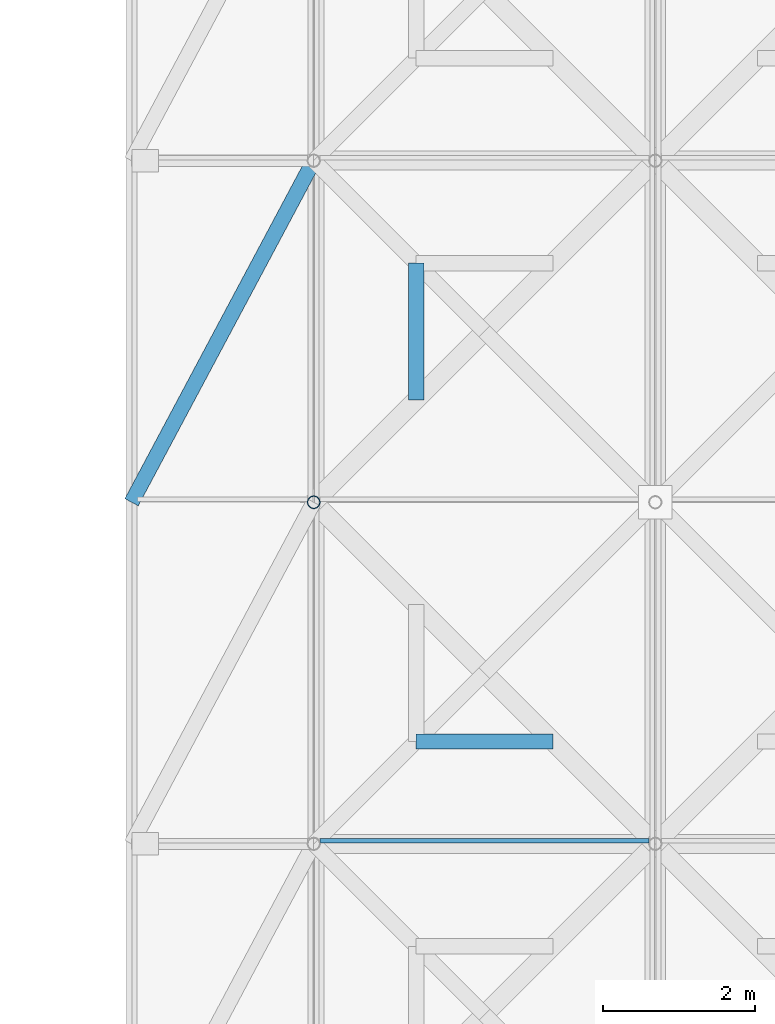
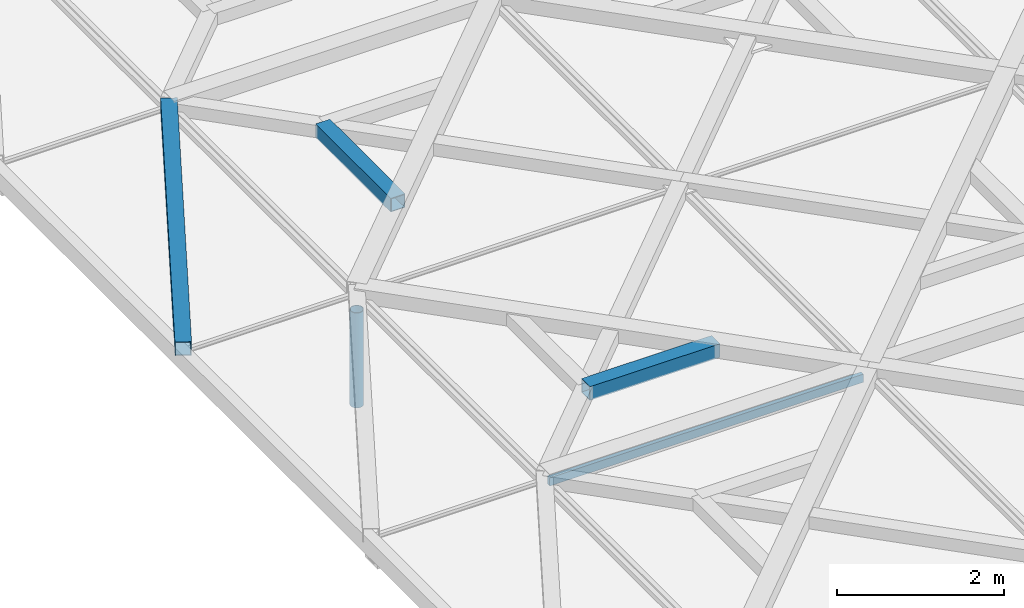
# One storey, part 8 of 80: 5 members, 1 element without a shape of its own.
"""IFC4 building model written with IfcOpenShell, lengths in metres."""

from ifc_helpers import new_model, si_unit, direction, frame, origin, origin_2d, place, context, subcontext, project, spatial, rectangle, hollow_rectangle, hollow_circle, extrude, material, material_profile, profile_set, type_object, element, aggregate, save


model = new_model("IFC4")

# Units and contexts
model_context = context("Model", 3, precision=1e-05, world=origin(), true_north=direction((0.0, 1.0)))
body_context = subcontext(model_context, "Body", "Model", "MODEL_VIEW")
ifc_project = project(units=[si_unit("LENGTHUNIT", "METRE"), si_unit("AREAUNIT", "SQUARE_METRE"), si_unit("VOLUMEUNIT", "CUBIC_METRE"), si_unit("PLANEANGLEUNIT", "RADIAN"), si_unit("MASSUNIT", "GRAM", prefix="KILO"), si_unit("THERMODYNAMICTEMPERATUREUNIT", "KELVIN"), si_unit("POWERUNIT", "WATT")], contexts=[model_context])

# Site, building, storey
site_placement = place(None, origin())
site = spatial("IfcSite", under=ifc_project, at=site_placement, CompositionType="ELEMENT")
building_placement = place(site_placement, origin())
building = spatial("IfcBuilding", under=site, at=building_placement, Name="Tallowbark Science Centre", CompositionType="ELEMENT")
storey_placement = place(building_placement, frame((0.0, 0.0, 25.949951171875)))
storey = spatial("IfcBuildingStorey", under=building, at=storey_placement, Name="ROOF", CompositionType="ELEMENT", Elevation=25.949951171875)

# Curtain wall, member
ifc_material_1 = material(Name="Blue-Tinted Laminated Low-E Skylight Glass", Category="glass")
curtain_wall_type = type_object("IfcCurtainWallType", Name="CW-SKY-ROOF", PredefinedType="NOTDEFINED", material=ifc_material_1)
curtain_wall_placement = place(storey_placement, origin())
curtain_wall = element("IfcCurtainWall", 1, at=curtain_wall_placement, inside=storey, type_object=curtain_wall_type, Name="Exhibition Star-Screen Skylight Bay 2", PredefinedType="NOTDEFINED")
ifc_material_2 = material(Name="Anodised Architectural Aluminium Alloy 6063-T6", Category="aluminium")
ifc_material_profile_1 = material_profile(ifc_material_2, rectangle(XDim=0.054931640625, YDim=0.1201171875, at=origin_2d()), Name="ALU55x120")
ifc_profile_set_1 = profile_set([ifc_material_profile_1], Name="Anodised Architectural Aluminium Alloy 6063-T6")
member_type_1 = type_object("IfcMemberType", Name="CWM-SKY-TRN", PredefinedType="USERDEFINED", material=ifc_profile_set_1)
member_1_placement = place(storey_placement, frame((58.580078125, 22.5400390625, 0.35205078125), z_axis=(1.0, 0.0, 0.0), x_axis=(0.0, 1.0, 0.0)))
member_1 = element("IfcMember", 2, at=member_1_placement, type_object=member_type_1, Name="Skylight Bay 2 Transom 6", ObjectType="TRANSOM", PredefinedType="USERDEFINED", context=body_context, shape_type="SweptSolid", body=[
    extrude(rectangle(XDim=0.054931640625, YDim=0.1201171875, at=origin_2d()), origin(), (0.0, 0.0, 1.0), 4.33984375),
])
aggregate(curtain_wall, [member_1])

# Members
ifc_material_3 = material(Name="White Architectural Painted Steel Grade C350L0 (350 MPa)", Category="steel")
ifc_material_profile_2 = material_profile(ifc_material_3, hollow_rectangle(XDim=0.199951171875, YDim=0.199951171875, WallThickness=0.009033203125, at=origin_2d()), Name="200x200x9.0SHS")
ifc_profile_set_2 = profile_set([ifc_material_profile_2], Name="White Architectural Painted Steel Grade C350L0 (350 MPa)")
member_type_2 = type_object("IfcMemberType", Name="SCR-STAR139", PredefinedType="BRACE", material=ifc_profile_set_2)
member_2_placement = place(storey_placement, frame((56.10009765625, 27.0, 0.449951171875), z_axis=(0.470573327259, 0.882360891967, 0.0), x_axis=(-0.882360891967, 0.470573327259, 0.0)))
element("IfcMember", 3, at=member_2_placement, inside=storey, type_object=member_type_2, Name="Top Perimeter Gap Star Diagonal 1-7", PredefinedType="BRACE", context=body_context, shape_type="SweptSolid", body=[
    extrude(hollow_rectangle(XDim=0.199951171875, YDim=0.199951171875, WallThickness=0.009033203125, at=origin_2d()), origin(), (0.0, 0.0, 1.0), 5.099853515625),
])
ifc_material_profile_3 = material_profile(ifc_material_3, hollow_rectangle(XDim=0.199951171875, YDim=0.199951171875, WallThickness=0.009033203125, at=origin_2d()), Name="200x200x9.0SHS")
ifc_profile_set_3 = profile_set([ifc_material_profile_3], Name="White Architectural Painted Steel Grade C350L0 (350 MPa)")
member_type_3 = type_object("IfcMemberType", Name="SCR-SUB150", PredefinedType="BRACE", material=ifc_profile_set_3)
for number, where, z_axis, x_axis, name in (
    (4, (59.85009765625, 23.85009765625, 0.449951171875), (1.0, 0.0, 0.0), (0.0, 1.0, 0.0), "Star Screen Octagram Point Ray TOP-56-1"),
    (5, (59.85009765625, 30.14990234375, 0.449951171875), (0.0, -1.0, 0.0), (1.0, 0.0, 0.0), "Star Screen Octagram Point Ray TOP-56-8"),
):
    element("IfcMember", number, at=place(storey_placement, frame(where, z_axis=z_axis, x_axis=x_axis)), inside=storey, type_object=member_type_3, Name=name, PredefinedType="BRACE", context=body_context, shape_type="SweptSolid", body=[
        extrude(hollow_rectangle(XDim=0.199951171875, YDim=0.199951171875, WallThickness=0.009033203125, at=origin_2d()), origin(), (0.0, 0.0, 1.0), 1.7998046875),
    ])
ifc_material_profile_4 = material_profile(ifc_material_3, hollow_circle(Radius=0.084228515625, WallThickness=0.007080078125, at=origin_2d()), Name="168.3x7.1CHS")
ifc_profile_set_4 = profile_set([ifc_material_profile_4], Name="White Architectural Painted Steel Grade C350L0 (350 MPa)")
member_type_4 = type_object("IfcMemberType", Name="TR-WEB168", PredefinedType="BRACE", material=ifc_profile_set_4)
member_3_placement = place(storey_placement, frame((58.5, 27.0, -1.199951171875), z_axis=(0.0, 0.0, 1.0), x_axis=(1.0, 0.0, 0.0)))
element("IfcMember", 6, at=member_3_placement, inside=storey, type_object=member_type_4, Name="Exhibition Roof Truss Web 1-27", PredefinedType="BRACE", context=body_context, shape_type="SweptSolid", body=[
    extrude(hollow_circle(Radius=0.084228515625, WallThickness=0.007080078125, at=origin_2d()), origin(), (0.0, 0.0, 1.0), 1.389892578125),
])

save(model, "model.ifc")
